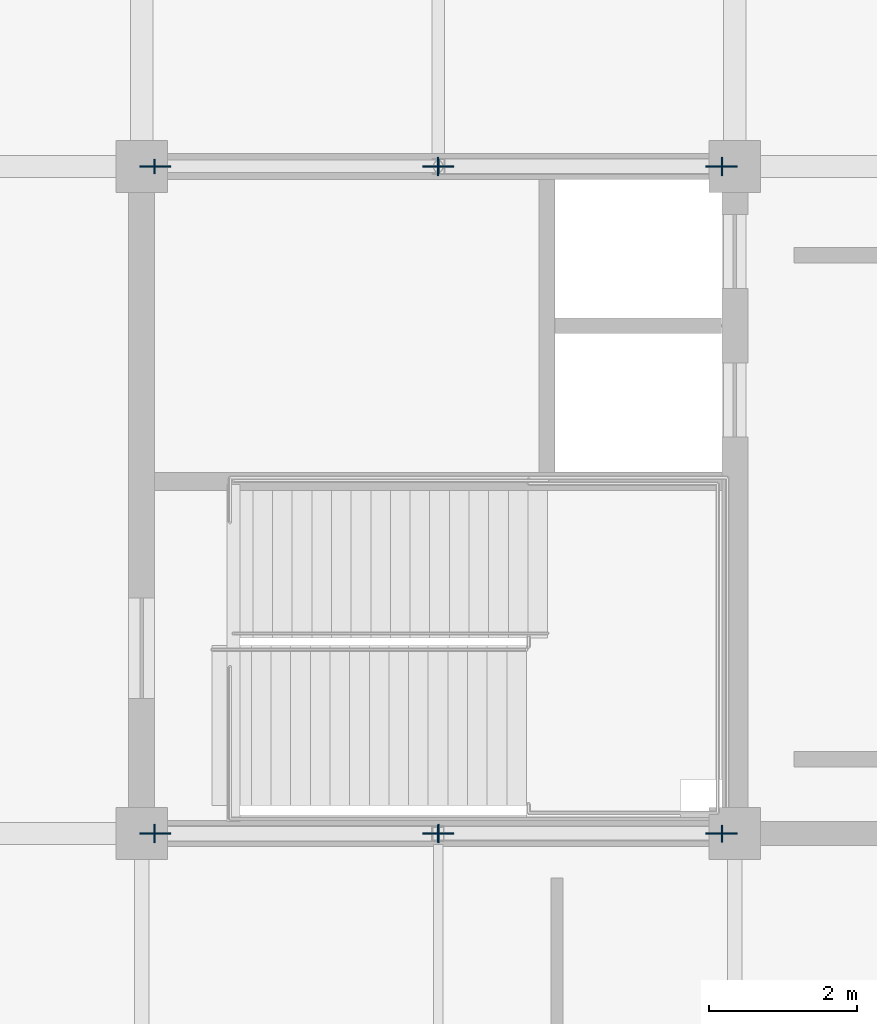
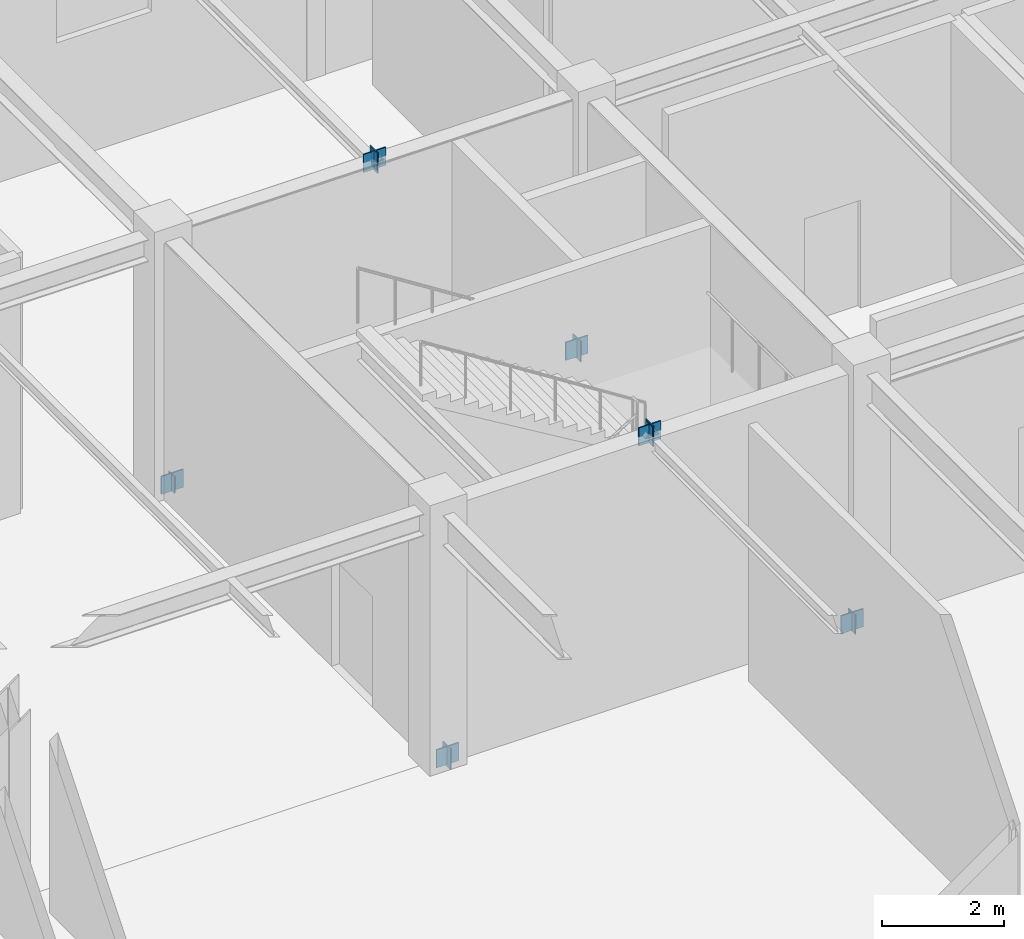
# One storey, part 83 of 119: 14 plates.
"""IFC4 building model written with IfcOpenShell, lengths in metres."""

from ifc_helpers import new_model, si_unit, direction, frame, origin, origin_2d, place, context, subcontext, project, spatial, rectangle, extrude, material, layer, layer_set, type_object, element, save


model = new_model("IFC4")

# Units and contexts
model_context = context("Model", 3, precision=1e-05, world=origin(), true_north=direction((0.0, 1.0)))
body_context = subcontext(model_context, "Body", "Model", "MODEL_VIEW")
ifc_project = project(units=[si_unit("LENGTHUNIT", "METRE"), si_unit("AREAUNIT", "SQUARE_METRE"), si_unit("VOLUMEUNIT", "CUBIC_METRE"), si_unit("PLANEANGLEUNIT", "RADIAN"), si_unit("MASSUNIT", "GRAM", prefix="KILO")], contexts=[model_context])

# Site, building, storey
site_placement = place(None, origin())
site = spatial("IfcSite", under=ifc_project, at=site_placement, CompositionType="ELEMENT")
building_placement = place(site_placement, origin())
building = spatial("IfcBuilding", under=site, at=building_placement, Name="Zhaolan Boulevard Law Courts", CompositionType="ELEMENT")
storey_placement = place(building_placement, origin())
storey = spatial("IfcBuildingStorey", under=building, at=storey_placement, Name="L00", CompositionType="ELEMENT", Elevation=0.0)

# Plates
ifc_material_1 = material(Name="Structural steel Q355B", Category="steel")
ifc_layer_1 = layer(ifc_material_1, 0.02392578125)
ifc_layer_set_1 = layer_set([ifc_layer_1])
plate_type_1 = type_object("IfcPlateType", Name="BRACE GUSSET PLATE 24", PredefinedType="SHEET", material=ifc_layer_set_1)
for number, where, z_axis, x_axis, name in (
    (1, (76.179931640625, 103.0, -0.14990234375), (0.0, 0.0, 1.0), (1.0, 0.0, 0.0), "Brace Gusset Connection Plate GP-C1-L00-NA1"),
    (2, (83.820068359375, 103.0, -0.14990234375), (0.0, 0.0, 1.0), (1.0, 0.0, 0.0), "Brace Gusset Connection Plate GP-C1-L00-NA2"),
    (3, (80.0, 103.0, 4.93994140625), (0.0, 0.0, 1.0), (1.0, 0.0, 0.0), "Brace Gusset Connection Plate GP-C1-L00-NAPX"),
    (4, (76.179931640625, 94.0, -0.14990234375), (0.0, 0.0, 1.0), (1.0, 0.0, 0.0), "Brace Gusset Connection Plate GP-C1-L00-SA1"),
    (5, (83.820068359375, 94.0, -0.14990234375), (0.0, 0.0, 1.0), (1.0, 0.0, 0.0), "Brace Gusset Connection Plate GP-C1-L00-SA2"),
    (6, (80.0, 94.0, 4.93994140625), (0.0, 0.0, 1.0), (1.0, 0.0, 0.0), "Brace Gusset Connection Plate GP-C1-L00-SAPX"),
):
    element("IfcPlate", number, at=place(storey_placement, frame(where, z_axis=z_axis, x_axis=x_axis)), inside=storey, type_object=plate_type_1, Name=name, PredefinedType="SHEET", context=body_context, shape_type="SweptSolid", body=[
        extrude(rectangle(XDim=0.419921875, YDim=0.02392578125, at=origin_2d()), origin(), (0.0, 0.0, 1.0), 0.360107421875),
    ])
ifc_material_2 = material(Name="Structural steel Q355B", Category="steel")
ifc_layer_2 = layer(ifc_material_2, 0.02001953125)
ifc_layer_set_2 = layer_set([ifc_layer_2])
plate_type_2 = type_object("IfcPlateType", Name="END CAP PLATE 20", PredefinedType="SHEET", material=ifc_layer_set_2)
for number, where, z_axis, x_axis, name in (
    (7, (76.17529296875, 103.0, -0.141357421875), (0.0, 0.0, 1.0), (1.0, 0.0, 0.0), "Hollow Section End-Cap Plate ECP-1391"),
    (8, (80.0048828125, 103.0, 4.96142578125), (0.0, 0.0, 1.0), (1.0, 0.0, 0.0), "Hollow Section End-Cap Plate ECP-1392"),
):
    element("IfcPlate", number, at=place(storey_placement, frame(where, z_axis=z_axis, x_axis=x_axis)), inside=storey, type_object=plate_type_2, Name=name, PredefinedType="SHEET", context=body_context, shape_type="SweptSolid", body=[
        extrude(rectangle(XDim=0.02001953125, YDim=0.197998046875, at=origin_2d()), origin(), (0.0, 0.0, 1.0), 0.330078125),
    ])
for number, where, z_axis, x_axis, name in (
    (9, (83.82470703125, 103.0, -0.184326171875), (0.0, 0.0, 1.0), (-1.0, 0.0, 0.0), "Hollow Section End-Cap Plate ECP-1393"),
    (10, (79.9951171875, 103.0, 4.91845703125), (0.0, 0.0, 1.0), (-1.0, 0.0, 0.0), "Hollow Section End-Cap Plate ECP-1394"),
    (11, (76.17529296875, 94.0, -0.184326171875), (0.0, 0.0, 1.0), (1.0, 0.0, 0.0), "Hollow Section End-Cap Plate ECP-1395"),
    (12, (80.0048828125, 94.0, 4.91845703125), (0.0, 0.0, 1.0), (1.0, 0.0, 0.0), "Hollow Section End-Cap Plate ECP-1396"),
):
    element("IfcPlate", number, at=place(storey_placement, frame(where, z_axis=z_axis, x_axis=x_axis)), inside=storey, type_object=plate_type_2, Name=name, PredefinedType="SHEET", context=body_context, shape_type="SweptSolid", body=[
        extrude(rectangle(XDim=0.02001953125, YDim=0.25, at=origin_2d()), origin(), (0.0, 0.0, 1.0), 0.416015625),
    ])
for number, where, z_axis, x_axis, name in (
    (13, (83.82470703125, 94.0, -0.16796875), (0.0, 0.0, 1.0), (-1.0, 0.0, 0.0), "Hollow Section End-Cap Plate ECP-1397"),
    (14, (79.9951171875, 94.0, 4.93505859375), (0.0, 0.0, 1.0), (-1.0, 0.0, 0.0), "Hollow Section End-Cap Plate ECP-1398"),
):
    element("IfcPlate", number, at=place(storey_placement, frame(where, z_axis=z_axis, x_axis=x_axis)), inside=storey, type_object=plate_type_2, Name=name, PredefinedType="SHEET", context=body_context, shape_type="SweptSolid", body=[
        extrude(rectangle(XDim=0.02001953125, YDim=0.22998046875, at=origin_2d()), origin(), (0.0, 0.0, 1.0), 0.383056640625),
    ])

save(model, "model.ifc")
